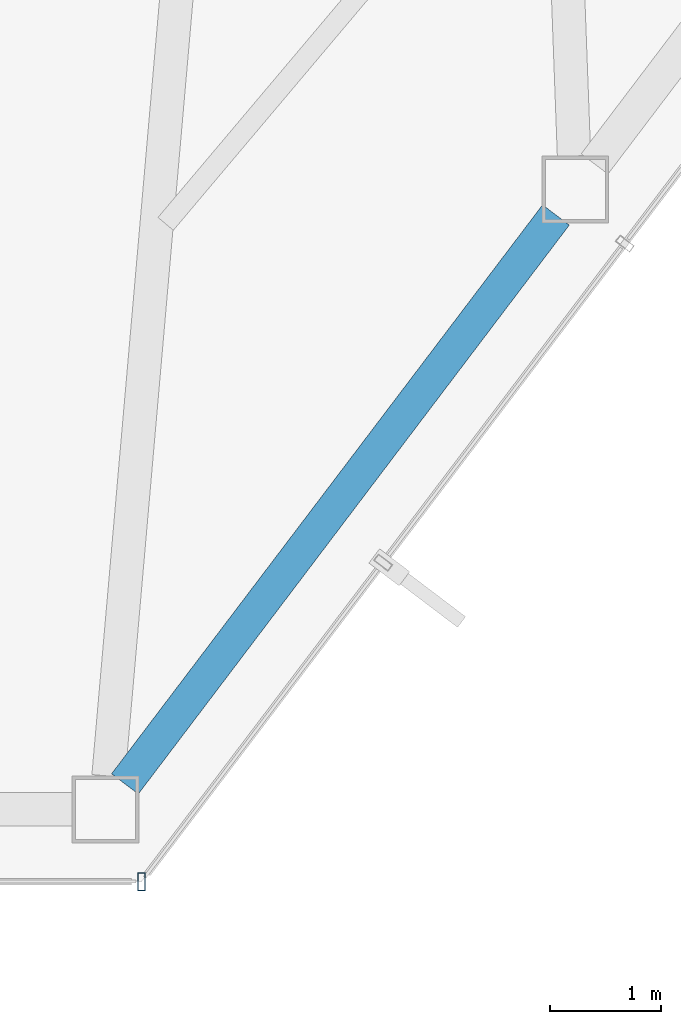
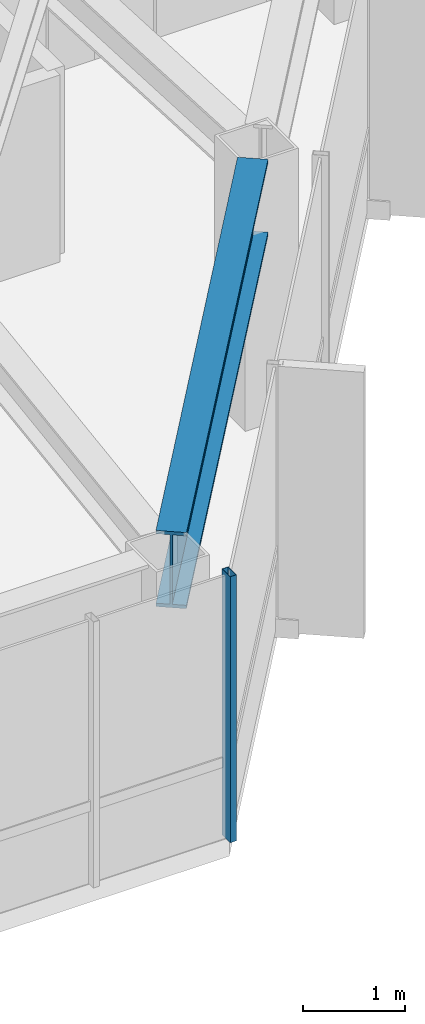
# One storey, part 7 of 25: 1 beam, 1 member, 1 element without a shape of its own.
"""IFC4 building model written with IfcOpenShell, lengths in metres."""

import ifcopenshell
import ifcopenshell.guid

model = None  # the IFC model being written
_history = None  # IfcOwnerHistory: only IFC2X3 demands one
_inside = {}  # id of a spatial element -> (the spatial element, [elements in it])
_under = {}  # id of a project, library or spatial element -> (it, [spatial elements below it])
_declared = {}  # id of a project -> (the project, [libraries it declares])
_typed = {}  # id of a type object -> (the type object, [elements of that type])
_made_of = {}  # id of a material, layer set ... -> (it, [elements and type objects made of it])


def new_model(schema):
    """Start an empty IFC model of exactly this schema.

    Asked for "IFC4X3", IfcOpenShell would pick the latest addendum, in which some entities
    have other attributes; the version numbers below select the first issue.
    IFC2X3 requires an IfcOwnerHistory on every rooted entity: one is made here for all.
    """
    global model, _history
    if schema == "IFC4X3":
        model = ifcopenshell.file(schema_version=(4, 3, 0, 0))
    else:
        model = ifcopenshell.file(schema=schema)
    _inside.clear()
    _under.clear()
    _declared.clear()
    _typed.clear()
    _made_of.clear()
    _history = None
    if model.schema == "IFC2X3":
        org = make("IfcOrganization", Name="unknown")
        user = make(
            "IfcPersonAndOrganization",
            ThePerson=make("IfcPerson", FamilyName="unknown"),
            TheOrganization=org,
        )
        app = make(
            "IfcApplication",
            ApplicationDeveloper=org,
            Version="unknown",
            ApplicationFullName="unknown",
            ApplicationIdentifier="unknown",
        )
        _history = make(
            "IfcOwnerHistory",
            OwningUser=user,
            OwningApplication=app,
            ChangeAction="ADDED",
            CreationDate=0,
        )
    return model


def make(cls, **values):
    """One entity of the class cls with the attributes given. An attribute that is None is left unset."""
    return model.create_entity(
        cls, **{name: value for name, value in values.items() if value is not None}
    )


def rooted(cls, **values):
    """An entity with a GlobalId (a new one), such as an element, a storey or a relation."""
    return make(cls, GlobalId=ifcopenshell.guid.new(), OwnerHistory=_history, **values)


def si_unit(unit_type, name, prefix=None):
    """IfcSIUnit, for example si_unit("LENGTHUNIT", "METRE", prefix="MILLI")."""
    return make("IfcSIUnit", UnitType=unit_type, Prefix=prefix, Name=name)


def assignment(units):
    """IfcUnitAssignment: the units of a project."""
    return None if units is None else make("IfcUnitAssignment", Units=units)


def point(xyz):
    """IfcCartesianPoint."""
    return None if xyz is None else make("IfcCartesianPoint", Coordinates=xyz)


def direction(xyz):
    """IfcDirection."""
    return None if xyz is None else make("IfcDirection", DirectionRatios=xyz)


def frame(location, z_axis=None, x_axis=None):
    """IfcAxis2Placement3D, a coordinate frame: its origin and axes. An axis left out is left unset."""
    return make(
        "IfcAxis2Placement3D",
        Location=point(location),
        Axis=direction(z_axis),
        RefDirection=direction(x_axis),
    )


def frame_2d(location, x_axis=None):
    """IfcAxis2Placement2D, a coordinate frame in the plane: its origin and x axis."""
    return make(
        "IfcAxis2Placement2D", Location=point(location), RefDirection=direction(x_axis)
    )


def origin():
    """The frame at (0, 0, 0) with its axes left unset."""
    return frame((0.0, 0.0, 0.0))


def origin_2d():
    """The frame at (0, 0) in the plane with its x axis left unset."""
    return frame_2d((0.0, 0.0))


def place(relative_to, where):
    """IfcLocalPlacement: puts the frame where relative to a parent placement (None: the world)."""
    return make(
        "IfcLocalPlacement", PlacementRelTo=relative_to, RelativePlacement=where
    )


def context(
    kind, dimensions, precision=None, world=None, true_north=None, identifier=None
):
    """IfcGeometricRepresentationContext, for example the 3D "Model" context."""
    return make(
        "IfcGeometricRepresentationContext",
        ContextIdentifier=identifier,
        ContextType=kind,
        CoordinateSpaceDimension=dimensions,
        Precision=precision,
        WorldCoordinateSystem=world,
        TrueNorth=true_north,
    )


def subcontext(parent, identifier, kind, view, scale=None):
    """IfcGeometricRepresentationSubContext, for example "Body" below "Model"."""
    return make(
        "IfcGeometricRepresentationSubContext",
        ContextIdentifier=identifier,
        ContextType=kind,
        ParentContext=parent,
        TargetScale=scale,
        TargetView=view,
    )


def project(units=None, contexts=None):
    """IfcProject with its units and contexts."""
    return rooted(
        "IfcProject",
        Name="project",
        RepresentationContexts=contexts,
        UnitsInContext=assignment(units),
    )


def spatial(cls, under=None, at=None, **own):
    """A site, building, storey or space (cls), placed at a placement, below another one or the project."""
    s = rooted(cls, ObjectPlacement=at, **own)
    if under is not None:
        _under.setdefault(under.id(), (under, []))[1].append(s)
    return s


def profile(cls, at=None, kind="AREA", **sizes):
    """A parametric profile (cls). Its sizes go by their IFC names, for example OverallWidth=200.0."""
    return make(cls, ProfileType=kind, Position=at, **sizes)


def hollow_rectangle(**sizes):
    """IfcRectangleHollowProfileDef."""
    return profile("IfcRectangleHollowProfileDef", **sizes)


def i_section(**sizes):
    """IfcIShapeProfileDef."""
    return profile("IfcIShapeProfileDef", **sizes)


def extrude(swept, where, along, depth):
    """IfcExtrudedAreaSolid: the profile swept, set in the frame where, extruded along a direction by depth."""
    return make(
        "IfcExtrudedAreaSolid",
        SweptArea=swept,
        Position=where,
        ExtrudedDirection=direction(along),
        Depth=depth,
    )


def shape(context_of_items, identifier, shape_type, items):
    """IfcShapeRepresentation: the items that make up one representation, for example the "Body"."""
    return make(
        "IfcShapeRepresentation",
        ContextOfItems=context_of_items,
        RepresentationIdentifier=identifier,
        RepresentationType=shape_type,
        Items=items,
    )


def material(Name=None, Category=None):
    """IfcMaterial."""
    return make("IfcMaterial", Name=Name, Category=Category)


def layer(
    of_material, thickness, ventilated=None, Name=None, Category=None, Priority=None
):
    """IfcMaterialLayer: one layer of a wall or slab, of a material (None: an air gap)."""
    return make(
        "IfcMaterialLayer",
        Material=of_material,
        LayerThickness=thickness,
        IsVentilated=ventilated,
        Name=Name,
        Category=Category,
        Priority=Priority,
    )


def layer_set(layers, Name=None):
    """IfcMaterialLayerSet."""
    return make("IfcMaterialLayerSet", MaterialLayers=layers, LayerSetName=Name)


def material_profile(
    of_material, cross_section, Name=None, Category=None, Priority=None
):
    """IfcMaterialProfile: a cross section and its material."""
    return make(
        "IfcMaterialProfile",
        Name=Name,
        Material=of_material,
        Profile=cross_section,
        Priority=Priority,
        Category=Category,
    )


def profile_set(profiles, Name=None, composite=None):
    """IfcMaterialProfileSet."""
    return make(
        "IfcMaterialProfileSet",
        Name=Name,
        MaterialProfiles=profiles,
        CompositeProfile=composite,
    )


def made_of(thing, what):
    """Note that an element or type object is made of a material, layer set ...; save() writes the relation."""
    if what is not None:
        _made_of.setdefault(what.id(), (what, []))[1].append(thing)
    return thing


def type_object(cls, material=None, **own):
    """A type object (cls), such as IfcWallType, which elements share."""
    return made_of(rooted(cls, **own), material)


def element(
    cls,
    number,
    at=None,
    inside=None,
    cuts=None,
    type_object=None,
    material=None,
    context=None,
    identifier="Body",
    shape_type=None,
    held_by="IfcProductDefinitionShape",
    body=None,
    shapes=None,
    **own,
):
    """One element of the class cls, such as IfcWall. Its Tag is "e" and its number.

    at: its placement. inside: the storey or other place that contains it. cuts: it is an
    opening in that element (IfcRelVoidsElement). A single representation is given by context,
    identifier, shape_type and body (its items); several are given by shapes. held_by: the class
    of the entity that holds the representations. save() writes the other relations.
    """
    e = rooted(cls, Tag="e%d" % number, ObjectPlacement=at, **own)
    if body is not None:
        shapes = [shape(context, identifier, shape_type, body)]
    if shapes is not None:
        e.Representation = make(held_by, Representations=shapes)
    if inside is not None:
        _inside.setdefault(inside.id(), (inside, []))[1].append(e)
    if cuts is not None:
        rooted(
            "IfcRelVoidsElement", RelatingBuildingElement=cuts, RelatedOpeningElement=e
        )
    if type_object is not None:
        _typed.setdefault(type_object.id(), (type_object, []))[1].append(e)
    return made_of(e, material)


def aggregate(whole, parts):
    """IfcRelAggregates: a whole, such as a stair, and the parts it consists of."""
    return rooted("IfcRelAggregates", RelatingObject=whole, RelatedObjects=parts)


def save(model, path):
    """Write the relations noted so far, then the file.

    IfcRelAggregates (storeys below a building ...), IfcRelContainedInSpatialStructure (elements
    in a storey), IfcRelDefinesByType, IfcRelAssociatesMaterial and IfcRelDeclares: one each for
    every whole, place, type object, material and project.
    """
    for whole, parts in _under.values():
        aggregate(whole, parts)
    for where, things in _inside.values():
        rooted(
            "IfcRelContainedInSpatialStructure",
            RelatedElements=things,
            RelatingStructure=where,
        )
    for kind, things in _typed.values():
        rooted("IfcRelDefinesByType", RelatedObjects=things, RelatingType=kind)
    for what, things in _made_of.values():
        rooted("IfcRelAssociatesMaterial", RelatedObjects=things, RelatingMaterial=what)
    for by, libraries in _declared.values():
        rooted("IfcRelDeclares", RelatingContext=by, RelatedDefinitions=libraries)
    model.write(path)


model = new_model("IFC4")

# Units and contexts
model_context = context("Model", 3, precision=1e-05, world=origin(), true_north=direction((0.0, 1.0)))
body_context = subcontext(model_context, "Body", "Model", "MODEL_VIEW")
ifc_project = project(units=[si_unit("LENGTHUNIT", "METRE"), si_unit("AREAUNIT", "SQUARE_METRE"), si_unit("VOLUMEUNIT", "CUBIC_METRE"), si_unit("PLANEANGLEUNIT", "RADIAN"), si_unit("MASSUNIT", "GRAM", prefix="KILO")], contexts=[model_context])

# Site, building, storey
site_placement = place(None, origin())
site = spatial("IfcSite", under=ifc_project, at=site_placement, CompositionType="ELEMENT")
building_placement = place(site_placement, origin())
building = spatial("IfcBuilding", under=site, at=building_placement, Name="Zarrinselat Tower", CompositionType="ELEMENT")
storey_placement = place(building_placement, frame((0.0, 0.0, 208.760009765625)))
storey = spatial("IfcBuildingStorey", under=building, at=storey_placement, Name="L51", CompositionType="ELEMENT", Elevation=208.760009765625)

# Beam
ifc_material_1 = material(Name="Steel S460M", Category="steel")
ifc_material_profile_1 = material_profile(ifc_material_1, i_section(OverallWidth=0.302001953125, OverallDepth=0.909912109375, WebThickness=0.02099609375, FlangeThickness=0.0400390625, at=origin_2d()), Name="HEM 900")
ifc_profile_set_1 = profile_set([ifc_material_profile_1], Name="Steel S460M")
beam_type = type_object("IfcBeamType", Name="BM-HEM900", PredefinedType="BEAM", material=ifc_profile_set_1)
beam_placement = place(storey_placement, frame((44.699951171875, 18.7900390625, 2.72509765625), z_axis=(0.603860615044, 0.797089930684, 0.0), x_axis=(-0.797089930684, 0.603860615044, 0.0)))
element("IfcBeam", 1, at=beam_placement, inside=storey, type_object=beam_type, Name="L51 Perimeter Spandrel Girder SP11", PredefinedType="BEAM", context=body_context, shape_type="SweptSolid", body=[
    extrude(i_section(OverallWidth=0.302001953125, OverallDepth=0.909912109375, WebThickness=0.02099609375, FlangeThickness=0.0400390625, at=origin_2d()), origin(), (0.0, 0.0, 1.0), 6.423583984375),
])

# Curtain wall, member
ifc_material_2 = material(Name="Extruded Aluminium Alloy EN AW-6063 T6", Category="aluminium")
ifc_layer = layer(ifc_material_2, 0.169921875)
ifc_layer_set = layer_set([ifc_layer], Name="Extruded Aluminium Alloy EN AW-6063 T6")
curtain_wall_type = type_object("IfcCurtainWallType", Name="CWS-RES", PredefinedType="NOTDEFINED", material=ifc_layer_set)
curtain_wall_placement = place(storey_placement, origin())
curtain_wall = element("IfcCurtainWall", 2, at=curtain_wall_placement, inside=storey, type_object=curtain_wall_type, Name="L51 Unitised Curtain Wall CW-L51-E04", PredefinedType="NOTDEFINED")
ifc_material_3 = material(Name="Extruded Aluminium Alloy EN AW-6063 T6", Category="aluminium")
ifc_material_profile_2 = material_profile(ifc_material_3, hollow_rectangle(XDim=0.070068359375, YDim=0.159912109375, WallThickness=0.00390625, at=origin_2d()), Name="RHS 160x70x4")
ifc_profile_set_2 = profile_set([ifc_material_profile_2], Name="Extruded Aluminium Alloy EN AW-6063 T6")
member_type = type_object("IfcMemberType", Name="MEM-CW-MUL2", PredefinedType="MULLION", material=ifc_profile_set_2)
member_placement = place(storey_placement, frame((44.84912109375, 17.910400390625, 0.0), z_axis=(0.0, 0.0, 1.0), x_axis=(1.0, 0.0, 0.0)))
member = element("IfcMember", 3, at=member_placement, type_object=member_type, Name="CW-L51-E04 Mullion 5", PredefinedType="MULLION", context=body_context, shape_type="SweptSolid", body=[
    extrude(hollow_rectangle(XDim=0.070068359375, YDim=0.159912109375, WallThickness=0.00390625, at=origin_2d()), origin(), (0.0, 0.0, 1.0), 3.179931640625),
])
aggregate(curtain_wall, [member])

save(model, "model.ifc")
